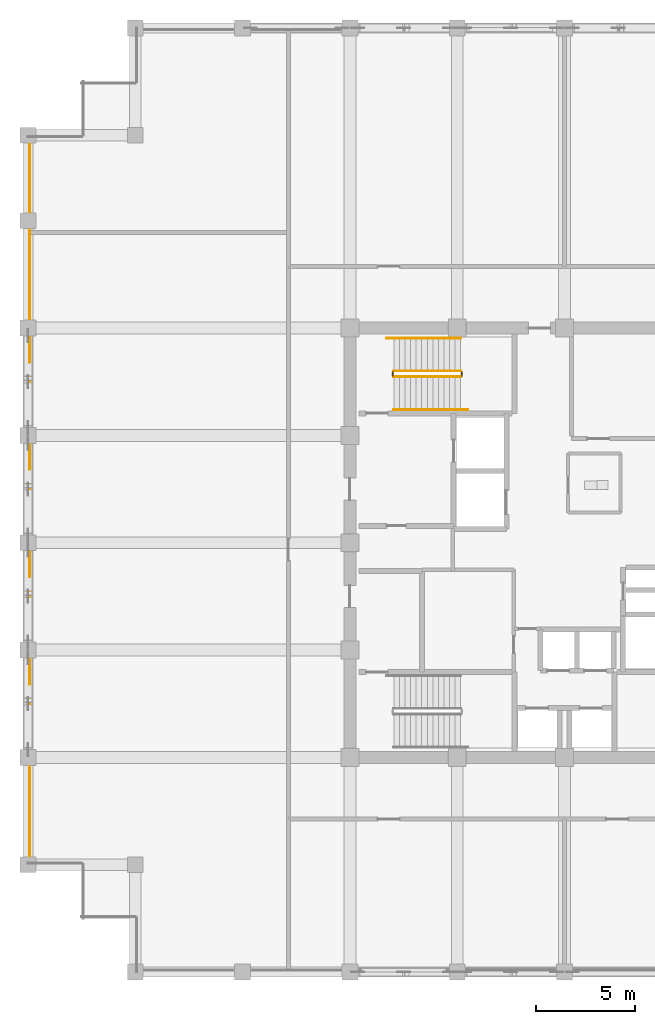
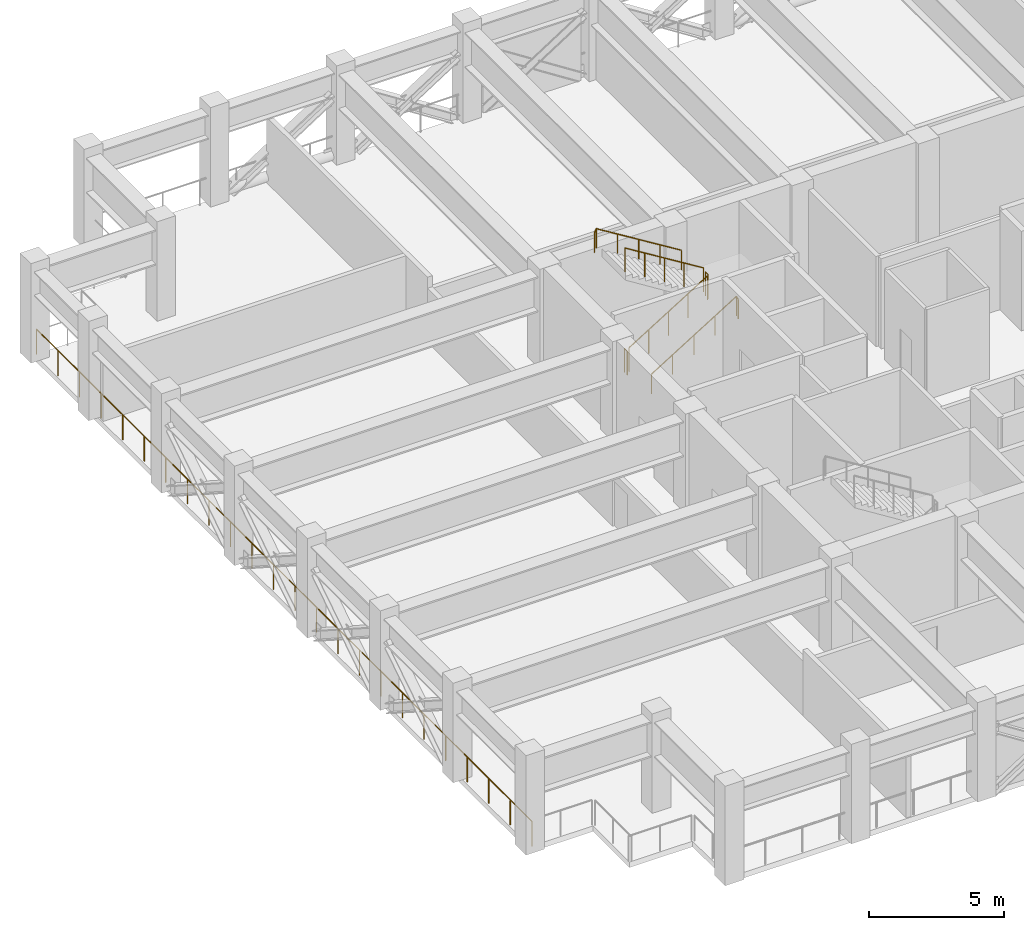
# One storey, part 8 of 11: 7 railings.
"""IFC4 building model written with IfcOpenShell, lengths in metres."""

from ifc_helpers import new_model, si_unit, direction, frame, origin, origin_2d, place, context, subcontext, project, spatial, circle, extrude, material, type_object, element, save


model = new_model("IFC4")

# Units and contexts
model_context = context("Model", 3, precision=1e-05, world=origin(), true_north=direction((0.0, 1.0)))
body_context = subcontext(model_context, "Body", "Model", "MODEL_VIEW")
ifc_project = project(units=[si_unit("LENGTHUNIT", "METRE"), si_unit("AREAUNIT", "SQUARE_METRE"), si_unit("VOLUMEUNIT", "CUBIC_METRE"), si_unit("PLANEANGLEUNIT", "RADIAN"), si_unit("MASSUNIT", "GRAM", prefix="KILO")], contexts=[model_context])

# Site, building, storey
site_placement = place(None, origin())
site = spatial("IfcSite", under=ifc_project, at=site_placement, CompositionType="ELEMENT")
building_placement = place(site_placement, origin())
building = spatial("IfcBuilding", under=site, at=building_placement, Name="Surkhivell Harbour Commons", CompositionType="ELEMENT")
storey_placement = place(building_placement, frame((0.0, 0.0, 254.25)))
storey = spatial("IfcBuildingStorey", under=building, at=storey_placement, Name="L66", CompositionType="ELEMENT", Elevation=254.25)

# Railings
ifc_material_1 = material(Name="Laminated safety glass and stainless steel S355 balustrade", Category="steel")
railing_type_1 = type_object("IfcRailingType", Name="RAL-BAL-1150", PredefinedType="BALUSTRADE", material=ifc_material_1)
railing_1_placement = place(storey_placement, frame((-26.919921875, 20.5, 0.0)))
element("IfcRailing", 1, at=railing_1_placement, inside=storey, type_object=railing_type_1, Name="L66 Perimeter Safety Guard 13", PredefinedType="BALUSTRADE", context=body_context, shape_type="SweptSolid", body=[
    extrude(circle(Radius=0.02392578125, at=origin_2d()), frame((0.0, 0.0, 1.1259765625), z_axis=(0.0, -1.0, 0.0), x_axis=(1.0, 0.0, 0.0)), (0.0, 0.0, 1.0), 36.699951171875),
    extrude(circle(Radius=0.02099609375, at=origin_2d()), origin(), (0.0, 0.0, 1.0), 1.101806640625),
    extrude(circle(Radius=0.02099609375, at=origin_2d()), frame((0.0, -1.595703125, 0.0)), (0.0, 0.0, 1.0), 1.101806640625),
    extrude(circle(Radius=0.02099609375, at=origin_2d()), frame((0.0, -3.19140625, 0.0)), (0.0, 0.0, 1.0), 1.101806640625),
    extrude(circle(Radius=0.02099609375, at=origin_2d()), frame((0.0, -4.786865234375, 0.0)), (0.0, 0.0, 1.0), 1.101806640625),
    extrude(circle(Radius=0.02099609375, at=origin_2d()), frame((0.0, -6.382568359375, 0.0)), (0.0, 0.0, 1.0), 1.101806640625),
    extrude(circle(Radius=0.02099609375, at=origin_2d()), frame((0.0, -7.978271484375, 0.0)), (0.0, 0.0, 1.0), 1.101806640625),
    extrude(circle(Radius=0.02099609375, at=origin_2d()), frame((0.0, -9.573974609375, 0.0)), (0.0, 0.0, 1.0), 1.101806640625),
    extrude(circle(Radius=0.02099609375, at=origin_2d()), frame((0.0, -11.16943359375, 0.0)), (0.0, 0.0, 1.0), 1.101806640625),
    extrude(circle(Radius=0.02099609375, at=origin_2d()), frame((0.0, -12.76513671875, 0.0)), (0.0, 0.0, 1.0), 1.101806640625),
    extrude(circle(Radius=0.02099609375, at=origin_2d()), frame((0.0, -14.36083984375, 0.0)), (0.0, 0.0, 1.0), 1.101806640625),
    extrude(circle(Radius=0.02099609375, at=origin_2d()), frame((0.0, -15.95654296875, 0.0)), (0.0, 0.0, 1.0), 1.101806640625),
    extrude(circle(Radius=0.02099609375, at=origin_2d()), frame((0.0, -17.55224609375, 0.0)), (0.0, 0.0, 1.0), 1.101806640625),
    extrude(circle(Radius=0.02099609375, at=origin_2d()), frame((0.0, -19.147705078125, 0.0)), (0.0, 0.0, 1.0), 1.101806640625),
    extrude(circle(Radius=0.02099609375, at=origin_2d()), frame((0.0, -20.743408203125, 0.0)), (0.0, 0.0, 1.0), 1.101806640625),
    extrude(circle(Radius=0.02099609375, at=origin_2d()), frame((0.0, -22.339111328125, 0.0)), (0.0, 0.0, 1.0), 1.101806640625),
    extrude(circle(Radius=0.02099609375, at=origin_2d()), frame((0.0, -23.934814453125, 0.0)), (0.0, 0.0, 1.0), 1.101806640625),
    extrude(circle(Radius=0.02099609375, at=origin_2d()), frame((0.0, -25.530517578125, 0.0)), (0.0, 0.0, 1.0), 1.101806640625),
    extrude(circle(Radius=0.02099609375, at=origin_2d()), frame((0.0, -27.1259765625, 0.0)), (0.0, 0.0, 1.0), 1.101806640625),
    extrude(circle(Radius=0.02099609375, at=origin_2d()), frame((0.0, -28.7216796875, 0.0)), (0.0, 0.0, 1.0), 1.101806640625),
    extrude(circle(Radius=0.02099609375, at=origin_2d()), frame((0.0, -30.3173828125, 0.0)), (0.0, 0.0, 1.0), 1.101806640625),
    extrude(circle(Radius=0.02099609375, at=origin_2d()), frame((0.0, -31.9130859375, 0.0)), (0.0, 0.0, 1.0), 1.101806640625),
    extrude(circle(Radius=0.02099609375, at=origin_2d()), frame((0.0, -33.508544921875, 0.0)), (0.0, 0.0, 1.0), 1.101806640625),
    extrude(circle(Radius=0.02099609375, at=origin_2d()), frame((0.0, -35.104248046875, 0.0)), (0.0, 0.0, 1.0), 1.101806640625),
    extrude(circle(Radius=0.02099609375, at=origin_2d()), frame((0.0, -36.699951171875, 0.0)), (0.0, 0.0, 1.0), 1.101806640625),
])
ifc_material_2 = material(Name="Galvanised and painted steel S355 guard rail", Category="steel")
railing_type_2 = type_object("IfcRailingType", Name="RAL-ST-GRD1100", PredefinedType="GUARDRAIL", material=ifc_material_2)
railing_2_placement = place(storey_placement, frame((-8.590087890625, 8.340087890625, 0.173095703125)))
element("IfcRailing", 2, at=railing_2_placement, inside=storey, type_object=railing_type_2, Name="L66 ST1 stair guard 1", PredefinedType="GUARDRAIL", context=body_context, shape_type="SweptSolid", body=[
    extrude(circle(Radius=0.02392578125, at=origin_2d()), frame((0.0, 0.0, 1.076171875), z_axis=(0.850623216509, 0.0, 0.525775754039), x_axis=(0.0, 1.0, 0.0)), (0.0, 0.0, 1.0), 3.9501953125),
    extrude(circle(Radius=0.02099609375, at=origin_2d()), origin(), (0.0, 0.0, 1.0), 1.052001953125),
    extrude(circle(Radius=0.02099609375, at=origin_2d()), frame((0.840087890625, 0.0, 0.519287109375)), (0.0, 0.0, 1.0), 1.052001953125),
    extrude(circle(Radius=0.02099609375, at=origin_2d()), frame((1.68017578125, 0.0, 1.03857421875)), (0.0, 0.0, 1.0), 1.052001953125),
    extrude(circle(Radius=0.02099609375, at=origin_2d()), frame((2.52001953125, 0.0, 1.5576171875)), (0.0, 0.0, 1.0), 1.052001953125),
    extrude(circle(Radius=0.02099609375, at=origin_2d()), frame((3.360107421875, 0.0, 2.076904296875)), (0.0, 0.0, 1.0), 1.052001953125),
])
railing_3_placement = place(storey_placement, frame((-5.179931640625, 8.389892578125, 2.25)))
element("IfcRailing", 3, at=railing_3_placement, inside=storey, type_object=railing_type_2, Name="L66 ST1 stair guard 2", PredefinedType="GUARDRAIL", context=body_context, shape_type="SweptSolid", body=[
    extrude(circle(Radius=0.02392578125, at=origin_2d()), frame((0.0, 0.0, 1.076171875), z_axis=(0.0, 1.0, 0.0), x_axis=(-1.0, 0.0, 0.0)), (0.0, 0.0, 1.0), 0.2001953125),
    extrude(circle(Radius=0.02099609375, at=origin_2d()), origin(), (0.0, 0.0, 1.0), 1.052001953125),
    extrude(circle(Radius=0.02099609375, at=origin_2d()), frame((0.0, 0.2001953125, 0.0)), (0.0, 0.0, 1.0), 1.052001953125),
])
railing_4_placement = place(storey_placement, frame((-5.22998046875, 8.639892578125, 2.423095703125)))
element("IfcRailing", 4, at=railing_4_placement, inside=storey, type_object=railing_type_2, Name="L66 ST1 stair guard 3", PredefinedType="GUARDRAIL", context=body_context, shape_type="SweptSolid", body=[
    extrude(circle(Radius=0.02392578125, at=origin_2d()), frame((0.0, 0.0, 1.076171875), z_axis=(-0.850623216509, 0.0, 0.525775754039), x_axis=(0.0, -1.0, 0.0)), (0.0, 0.0, 1.0), 3.9501953125),
    extrude(circle(Radius=0.02099609375, at=origin_2d()), origin(), (0.0, 0.0, 1.0), 1.052001953125),
    extrude(circle(Radius=0.02099609375, at=origin_2d()), frame((-0.840087890625, 0.0, 0.519287109375)), (0.0, 0.0, 1.0), 1.052001953125),
    extrude(circle(Radius=0.02099609375, at=origin_2d()), frame((-1.68017578125, 0.0, 1.03857421875)), (0.0, 0.0, 1.0), 1.052001953125),
    extrude(circle(Radius=0.02099609375, at=origin_2d()), frame((-2.52001953125, 0.0, 1.5576171875)), (0.0, 0.0, 1.0), 1.052001953125),
    extrude(circle(Radius=0.02099609375, at=origin_2d()), frame((-3.360107421875, 0.0, 2.076904296875)), (0.0, 0.0, 1.0), 1.052001953125),
])
railing_5_placement = place(storey_placement, frame((-8.639892578125, 8.389892578125, 0.0)))
element("IfcRailing", 5, at=railing_5_placement, inside=storey, type_object=railing_type_2, Name="L66 ST1 stair guard 4", PredefinedType="GUARDRAIL", context=body_context, shape_type="SweptSolid", body=[
    extrude(circle(Radius=0.02392578125, at=origin_2d()), frame((0.0, 0.0, 1.076171875), z_axis=(0.0, 1.0, 0.0), x_axis=(-1.0, 0.0, 0.0)), (0.0, 0.0, 1.0), 0.2001953125),
    extrude(circle(Radius=0.02099609375, at=origin_2d()), origin(), (0.0, 0.0, 1.0), 1.052001953125),
    extrude(circle(Radius=0.02099609375, at=origin_2d()), frame((0.0, 0.2001953125, 0.0)), (0.0, 0.0, 1.0), 1.052001953125),
])
ifc_material_3 = material(Name="Brushed stainless steel S355 handrail", Category="steel")
railing_type_3 = type_object("IfcRailingType", Name="RAL-ST-HND900", PredefinedType="HANDRAIL", material=ifc_material_3)
railing_6_placement = place(storey_placement, frame((-8.590087890625, 6.68994140625, 0.173095703125)))
element("IfcRailing", 6, at=railing_6_placement, inside=storey, type_object=railing_type_3, Name="L66 ST1 stair handrail 1", PredefinedType="HANDRAIL", context=body_context, shape_type="SweptSolid", body=[
    extrude(circle(Radius=0.02392578125, at=origin_2d()), frame((0.0, 0.0, 0.8759765625), z_axis=(0.850622404505, 0.0, 0.525777067734), x_axis=(0.0, 1.0, 0.0)), (0.0, 0.0, 1.0), 4.279296875),
    extrude(circle(Radius=0.02392578125, at=origin_2d()), frame((3.64013671875, 0.0, 3.1259765625), z_axis=(0.418814502111, 0.0, -0.908071810388), x_axis=(0.0, 1.0, 0.0)), (0.0, 0.0, 1.0), 0.190673828125),
    extrude(circle(Radius=0.02099609375, at=origin_2d()), origin(), (0.0, 0.0, 1.0), 0.851806640625),
    extrude(circle(Radius=0.02099609375, at=origin_2d()), frame((0.91015625, 0.0, 0.5625)), (0.0, 0.0, 1.0), 0.851806640625),
    extrude(circle(Radius=0.02099609375, at=origin_2d()), frame((1.820068359375, 0.0, 1.125)), (0.0, 0.0, 1.0), 0.851806640625),
    extrude(circle(Radius=0.02099609375, at=origin_2d()), frame((2.72998046875, 0.0, 1.6875)), (0.0, 0.0, 1.0), 0.851806640625),
    extrude(circle(Radius=0.02099609375, at=origin_2d()), frame((3.64013671875, 0.0, 2.25)), (0.0, 0.0, 1.0), 0.851806640625),
    extrude(circle(Radius=0.02099609375, at=origin_2d()), frame((3.719970703125, 0.0, 2.076904296875)), (0.0, 0.0, 1.0), 0.851806640625),
])
railing_7_placement = place(storey_placement, frame((-5.22998046875, 10.2900390625, 2.423095703125)))
element("IfcRailing", 7, at=railing_7_placement, inside=storey, type_object=railing_type_3, Name="L66 ST1 stair handrail 2", PredefinedType="HANDRAIL", context=body_context, shape_type="SweptSolid", body=[
    extrude(circle(Radius=0.02392578125, at=origin_2d()), frame((0.0, 0.0, 0.8759765625), z_axis=(-0.850622404505, 0.0, 0.525777067734), x_axis=(0.0, -1.0, 0.0)), (0.0, 0.0, 1.0), 4.279296875),
    extrude(circle(Radius=0.02392578125, at=origin_2d()), frame((-3.64013671875, 0.0, 3.1259765625), z_axis=(-0.418814502111, 0.0, -0.908071810388), x_axis=(0.0, -1.0, 0.0)), (0.0, 0.0, 1.0), 0.190673828125),
    extrude(circle(Radius=0.02099609375, at=origin_2d()), origin(), (0.0, 0.0, 1.0), 0.851806640625),
    extrude(circle(Radius=0.02099609375, at=origin_2d()), frame((-0.91015625, 0.0, 0.5625)), (0.0, 0.0, 1.0), 0.851806640625),
    extrude(circle(Radius=0.02099609375, at=origin_2d()), frame((-1.820068359375, 0.0, 1.125)), (0.0, 0.0, 1.0), 0.851806640625),
    extrude(circle(Radius=0.02099609375, at=origin_2d()), frame((-2.72998046875, 0.0, 1.6875)), (0.0, 0.0, 1.0), 0.851806640625),
    extrude(circle(Radius=0.02099609375, at=origin_2d()), frame((-3.64013671875, 0.0, 2.25)), (0.0, 0.0, 1.0), 0.851806640625),
    extrude(circle(Radius=0.02099609375, at=origin_2d()), frame((-3.719970703125, 0.0, 2.076904296875)), (0.0, 0.0, 1.0), 0.851806640625),
])

save(model, "model.ifc")
